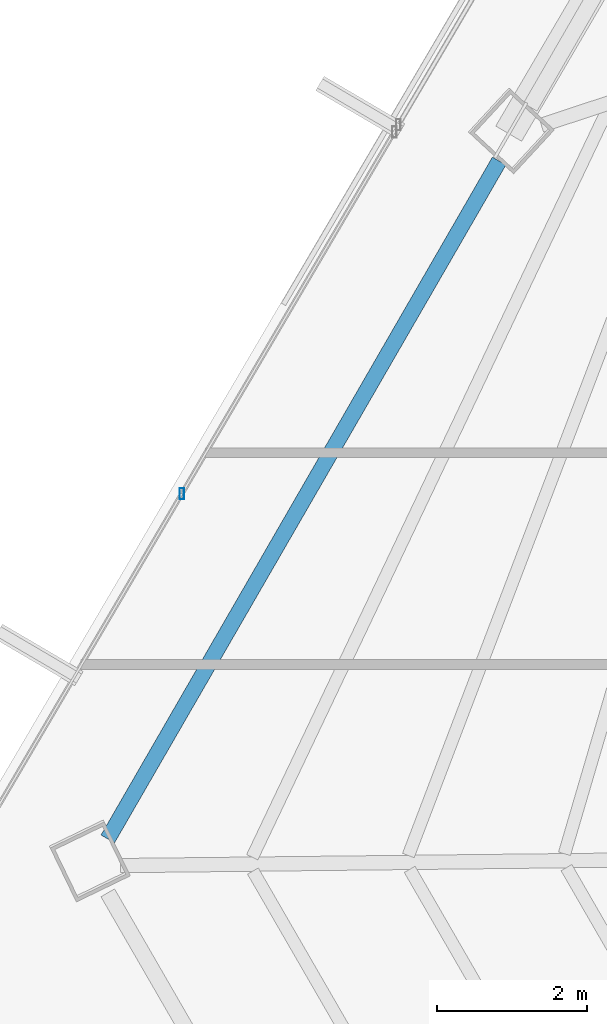
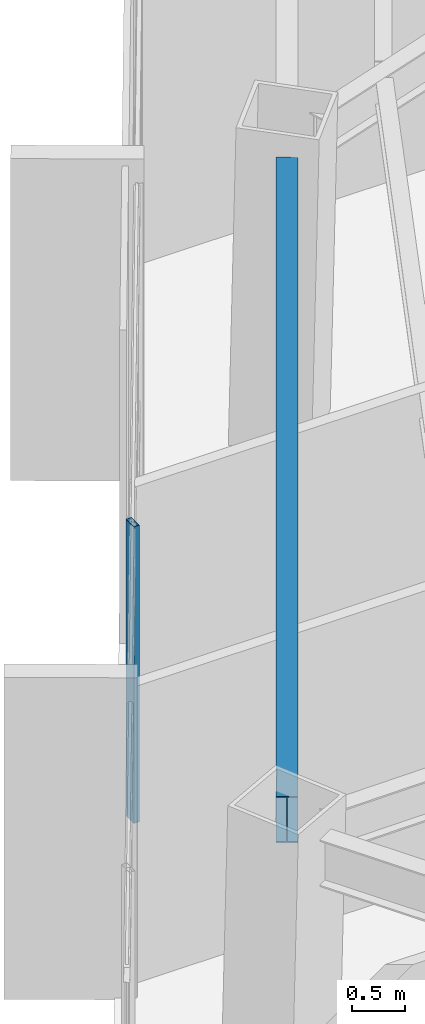
# One storey, part 10 of 42: 1 beam, 1 member, 1 element without a shape of its own.
"""IFC4 building model written with IfcOpenShell, lengths in metres."""

from ifc_helpers import new_model, si_unit, direction, frame, origin, origin_2d, place, context, subcontext, project, spatial, hollow_rectangle, i_section, extrude, source, transform, mapped, material, material_profile, profile_set, type_object, type_shapes, element, aggregate, save


model = new_model("IFC4")

# Units and contexts
model_context = context("Model", 3, precision=1e-05, world=origin(), true_north=direction((0.0, 1.0)))
body_context = subcontext(model_context, "Body", "Model", "MODEL_VIEW")
ifc_project = project(units=[si_unit("LENGTHUNIT", "METRE"), si_unit("AREAUNIT", "SQUARE_METRE"), si_unit("VOLUMEUNIT", "CUBIC_METRE"), si_unit("PLANEANGLEUNIT", "RADIAN"), si_unit("MASSUNIT", "GRAM", prefix="KILO")], contexts=[model_context])

# Site, building, storey
site_placement = place(None, origin())
site = spatial("IfcSite", under=ifc_project, at=site_placement, CompositionType="ELEMENT")
building_placement = place(site_placement, origin())
building = spatial("IfcBuilding", under=site, at=building_placement, Name="Caelisora Broadcast Tower", CompositionType="ELEMENT")
storey_placement = place(building_placement, frame((0.0, 0.0, 195.0)))
storey = spatial("IfcBuildingStorey", under=building, at=storey_placement, Name="L51", CompositionType="ELEMENT", Elevation=195.0)

# Beam
ifc_material_1 = material(Name="Steel Grade 350 (AS/NZS 3679.1)", Category="steel")
ifc_material_profile_1 = material_profile(ifc_material_1, i_section(OverallWidth=0.208984375, OverallDepth=0.532958984375, WebThickness=0.01025390625, FlangeThickness=0.015625, at=origin_2d()), Name="Steel Grade 350 (AS/NZS 3679.1)")
ifc_profile_set_1 = profile_set([ifc_material_profile_1], Name="Steel Grade 350 (AS/NZS 3679.1)")
beam_type = type_object("IfcBeamType", Name="PG05", PredefinedType="BEAM", material=ifc_profile_set_1)
shared_shape_1 = source(origin(), body_context, "Body", "SweptSolid", [
    extrude(i_section(OverallWidth=0.208984375, OverallDepth=0.532958984375, WebThickness=0.01025390625, FlangeThickness=0.015625, at=origin_2d()), origin(), (0.0, 0.0, 1.0), 10.458984375),
])
type_shapes(beam_type, [shared_shape_1])
beam_placement = place(storey_placement, frame((21.27587890625, 26.65673828125, 3.133544921875), z_axis=(-0.500005339912, -0.866022320763, 0.0), x_axis=(0.866022320763, -0.500005339912, 0.0)))
element("IfcBeam", 1, at=beam_placement, inside=storey, type_object=beam_type, Name="L51 beam PG05", PredefinedType="BEAM", context=body_context, shape_type="MappedRepresentation", body=[
    mapped(shared_shape_1, transform((0.0, 0.0, 0.0), scale=1.0)),
])

# Curtain wall, member
ifc_material_2 = material(Name="Unitised Aluminium and Low-E Glass Curtain Wall", Category="glass")
curtain_wall_type = type_object("IfcCurtainWallType", Name="CW-Z4", PredefinedType="NOTDEFINED", material=ifc_material_2)
curtain_wall_placement = place(storey_placement, origin())
curtain_wall = element("IfcCurtainWall", 2, at=curtain_wall_placement, inside=storey, type_object=curtain_wall_type, Name="L51 curtain wall CW-Z4", PredefinedType="NOTDEFINED")
ifc_material_3 = material(Name="Aluminium 6063-T6 Anodised Terracotta Bronze", Category="aluminium")
ifc_material_profile_2 = material_profile(ifc_material_3, hollow_rectangle(XDim=0.06005859375, YDim=0.14990234375, WallThickness=0.00341796875, at=origin_2d()), Name="Aluminium 6063-T6 Anodised Terracotta Bronze")
ifc_profile_set_2 = profile_set([ifc_material_profile_2], Name="Aluminium 6063-T6 Anodised Terracotta Bronze")
member_type = type_object("IfcMemberType", Name="CWM-03", PredefinedType="MULLION", material=ifc_profile_set_2)
shared_shape_2 = source(origin(), body_context, "Body", "SweptSolid", [
    extrude(hollow_rectangle(XDim=0.06005859375, YDim=0.14990234375, WallThickness=0.00341796875, at=origin_2d()), origin(), (0.0, 0.0, 1.0), 3.39990234375),
])
type_shapes(member_type, [shared_shape_2])
member_placement = place(storey_placement, frame((17.0361328125, 22.211181640625, 0.0), z_axis=(0.0, 0.0, 1.0), x_axis=(1.0, 0.0, 0.0)))
member = element("IfcMember", 3, at=member_placement, type_object=member_type, Name="L51-CW-B09 mullion #2", PredefinedType="MULLION", context=body_context, shape_type="MappedRepresentation", body=[
    mapped(shared_shape_2, transform((0.0, 0.0, 0.0), scale=1.0)),
])
aggregate(curtain_wall, [member])

save(model, "model.ifc")
